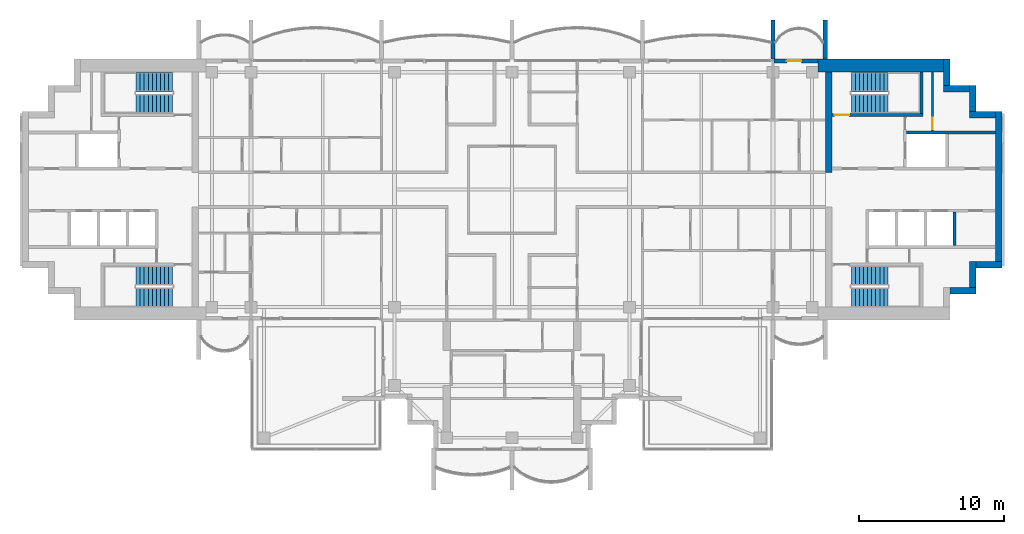
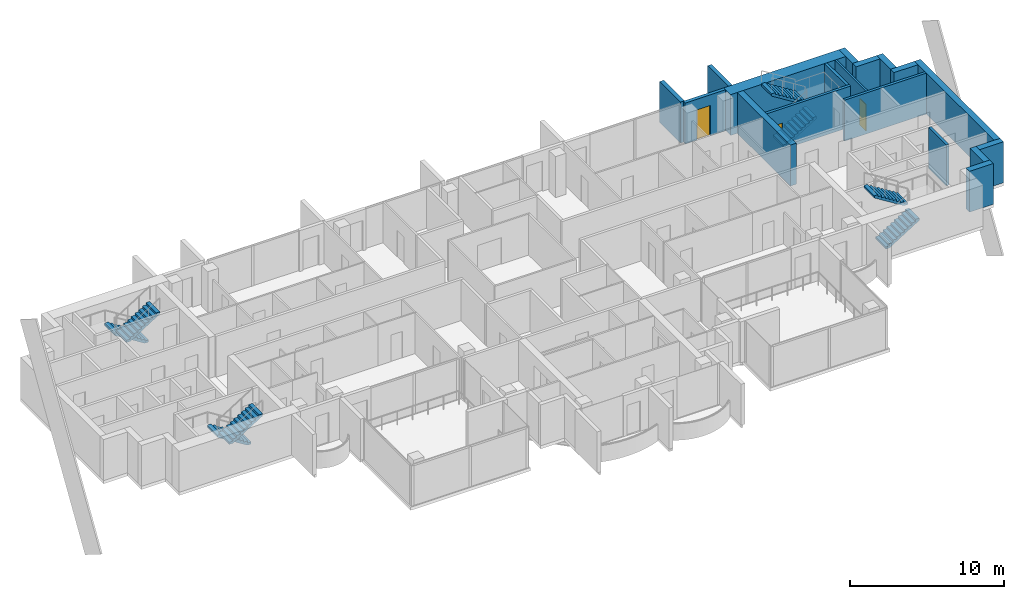
# One storey, part 12 of 16: 18 walls, 8 stair flights, 3 doors, 3 openings, 4 elements without a shape of their own.
"""IFC4 building model written with IfcOpenShell, lengths in metres."""

import ifcopenshell
import ifcopenshell.guid

model = None  # the IFC model being written
_history = None  # IfcOwnerHistory: only IFC2X3 demands one
_inside = {}  # id of a spatial element -> (the spatial element, [elements in it])
_under = {}  # id of a project, library or spatial element -> (it, [spatial elements below it])
_declared = {}  # id of a project -> (the project, [libraries it declares])
_typed = {}  # id of a type object -> (the type object, [elements of that type])
_made_of = {}  # id of a material, layer set ... -> (it, [elements and type objects made of it])


def new_model(schema):
    """Start an empty IFC model of exactly this schema.

    Asked for "IFC4X3", IfcOpenShell would pick the latest addendum, in which some entities
    have other attributes; the version numbers below select the first issue.
    IFC2X3 requires an IfcOwnerHistory on every rooted entity: one is made here for all.
    """
    global model, _history
    if schema == "IFC4X3":
        model = ifcopenshell.file(schema_version=(4, 3, 0, 0))
    else:
        model = ifcopenshell.file(schema=schema)
    _inside.clear()
    _under.clear()
    _declared.clear()
    _typed.clear()
    _made_of.clear()
    _history = None
    if model.schema == "IFC2X3":
        org = make("IfcOrganization", Name="unknown")
        user = make(
            "IfcPersonAndOrganization",
            ThePerson=make("IfcPerson", FamilyName="unknown"),
            TheOrganization=org,
        )
        app = make(
            "IfcApplication",
            ApplicationDeveloper=org,
            Version="unknown",
            ApplicationFullName="unknown",
            ApplicationIdentifier="unknown",
        )
        _history = make(
            "IfcOwnerHistory",
            OwningUser=user,
            OwningApplication=app,
            ChangeAction="ADDED",
            CreationDate=0,
        )
    return model


def make(cls, **values):
    """One entity of the class cls with the attributes given. An attribute that is None is left unset."""
    return model.create_entity(
        cls, **{name: value for name, value in values.items() if value is not None}
    )


def rooted(cls, **values):
    """An entity with a GlobalId (a new one), such as an element, a storey or a relation."""
    return make(cls, GlobalId=ifcopenshell.guid.new(), OwnerHistory=_history, **values)


def si_unit(unit_type, name, prefix=None):
    """IfcSIUnit, for example si_unit("LENGTHUNIT", "METRE", prefix="MILLI")."""
    return make("IfcSIUnit", UnitType=unit_type, Prefix=prefix, Name=name)


def assignment(units):
    """IfcUnitAssignment: the units of a project."""
    return None if units is None else make("IfcUnitAssignment", Units=units)


def point(xyz):
    """IfcCartesianPoint."""
    return None if xyz is None else make("IfcCartesianPoint", Coordinates=xyz)


def direction(xyz):
    """IfcDirection."""
    return None if xyz is None else make("IfcDirection", DirectionRatios=xyz)


def frame(location, z_axis=None, x_axis=None):
    """IfcAxis2Placement3D, a coordinate frame: its origin and axes. An axis left out is left unset."""
    return make(
        "IfcAxis2Placement3D",
        Location=point(location),
        Axis=direction(z_axis),
        RefDirection=direction(x_axis),
    )


def frame_2d(location, x_axis=None):
    """IfcAxis2Placement2D, a coordinate frame in the plane: its origin and x axis."""
    return make(
        "IfcAxis2Placement2D", Location=point(location), RefDirection=direction(x_axis)
    )


def origin():
    """The frame at (0, 0, 0) with its axes left unset."""
    return frame((0.0, 0.0, 0.0))


def place(relative_to, where):
    """IfcLocalPlacement: puts the frame where relative to a parent placement (None: the world)."""
    return make(
        "IfcLocalPlacement", PlacementRelTo=relative_to, RelativePlacement=where
    )


def context(
    kind, dimensions, precision=None, world=None, true_north=None, identifier=None
):
    """IfcGeometricRepresentationContext, for example the 3D "Model" context."""
    return make(
        "IfcGeometricRepresentationContext",
        ContextIdentifier=identifier,
        ContextType=kind,
        CoordinateSpaceDimension=dimensions,
        Precision=precision,
        WorldCoordinateSystem=world,
        TrueNorth=true_north,
    )


def subcontext(parent, identifier, kind, view, scale=None):
    """IfcGeometricRepresentationSubContext, for example "Body" below "Model"."""
    return make(
        "IfcGeometricRepresentationSubContext",
        ContextIdentifier=identifier,
        ContextType=kind,
        ParentContext=parent,
        TargetScale=scale,
        TargetView=view,
    )


def project(units=None, contexts=None):
    """IfcProject with its units and contexts."""
    return rooted(
        "IfcProject",
        Name="project",
        RepresentationContexts=contexts,
        UnitsInContext=assignment(units),
    )


def spatial(cls, under=None, at=None, **own):
    """A site, building, storey or space (cls), placed at a placement, below another one or the project."""
    s = rooted(cls, ObjectPlacement=at, **own)
    if under is not None:
        _under.setdefault(under.id(), (under, []))[1].append(s)
    return s


def polyline(points):
    """IfcPolyline through the points."""
    return make("IfcPolyline", Points=[point(p) for p in points])


def profile(cls, at=None, kind="AREA", **sizes):
    """A parametric profile (cls). Its sizes go by their IFC names, for example OverallWidth=200.0."""
    return make(cls, ProfileType=kind, Position=at, **sizes)


def rectangle(**sizes):
    """IfcRectangleProfileDef."""
    return profile("IfcRectangleProfileDef", **sizes)


def outline(outer, holes=None, kind="AREA"):
    """IfcArbitraryClosedProfileDef: a profile drawn as a closed curve; with holes, ...WithVoids."""
    if holes is None:
        return make("IfcArbitraryClosedProfileDef", ProfileType=kind, OuterCurve=outer)
    return make(
        "IfcArbitraryProfileDefWithVoids",
        ProfileType=kind,
        OuterCurve=outer,
        InnerCurves=holes,
    )


def extrude(swept, where, along, depth):
    """IfcExtrudedAreaSolid: the profile swept, set in the frame where, extruded along a direction by depth."""
    return make(
        "IfcExtrudedAreaSolid",
        SweptArea=swept,
        Position=where,
        ExtrudedDirection=direction(along),
        Depth=depth,
    )


def shape(context_of_items, identifier, shape_type, items):
    """IfcShapeRepresentation: the items that make up one representation, for example the "Body"."""
    return make(
        "IfcShapeRepresentation",
        ContextOfItems=context_of_items,
        RepresentationIdentifier=identifier,
        RepresentationType=shape_type,
        Items=items,
    )


def material(Name=None, Category=None):
    """IfcMaterial."""
    return make("IfcMaterial", Name=Name, Category=Category)


def layer(
    of_material, thickness, ventilated=None, Name=None, Category=None, Priority=None
):
    """IfcMaterialLayer: one layer of a wall or slab, of a material (None: an air gap)."""
    return make(
        "IfcMaterialLayer",
        Material=of_material,
        LayerThickness=thickness,
        IsVentilated=ventilated,
        Name=Name,
        Category=Category,
        Priority=Priority,
    )


def layer_set(layers, Name=None):
    """IfcMaterialLayerSet."""
    return make("IfcMaterialLayerSet", MaterialLayers=layers, LayerSetName=Name)


def made_of(thing, what):
    """Note that an element or type object is made of a material, layer set ...; save() writes the relation."""
    if what is not None:
        _made_of.setdefault(what.id(), (what, []))[1].append(thing)
    return thing


def type_object(cls, material=None, **own):
    """A type object (cls), such as IfcWallType, which elements share."""
    return made_of(rooted(cls, **own), material)


def element(
    cls,
    number,
    at=None,
    inside=None,
    cuts=None,
    type_object=None,
    material=None,
    context=None,
    identifier="Body",
    shape_type=None,
    held_by="IfcProductDefinitionShape",
    body=None,
    shapes=None,
    **own,
):
    """One element of the class cls, such as IfcWall. Its Tag is "e" and its number.

    at: its placement. inside: the storey or other place that contains it. cuts: it is an
    opening in that element (IfcRelVoidsElement). A single representation is given by context,
    identifier, shape_type and body (its items); several are given by shapes. held_by: the class
    of the entity that holds the representations. save() writes the other relations.
    """
    e = rooted(cls, Tag="e%d" % number, ObjectPlacement=at, **own)
    if body is not None:
        shapes = [shape(context, identifier, shape_type, body)]
    if shapes is not None:
        e.Representation = make(held_by, Representations=shapes)
    if inside is not None:
        _inside.setdefault(inside.id(), (inside, []))[1].append(e)
    if cuts is not None:
        rooted(
            "IfcRelVoidsElement", RelatingBuildingElement=cuts, RelatedOpeningElement=e
        )
    if type_object is not None:
        _typed.setdefault(type_object.id(), (type_object, []))[1].append(e)
    return made_of(e, material)


def fill(opening, filler):
    """IfcRelFillsElement: the door or window that sits in an opening."""
    return rooted(
        "IfcRelFillsElement",
        RelatingOpeningElement=opening,
        RelatedBuildingElement=filler,
    )


def aggregate(whole, parts):
    """IfcRelAggregates: a whole, such as a stair, and the parts it consists of."""
    return rooted("IfcRelAggregates", RelatingObject=whole, RelatedObjects=parts)


def save(model, path):
    """Write the relations noted so far, then the file.

    IfcRelAggregates (storeys below a building ...), IfcRelContainedInSpatialStructure (elements
    in a storey), IfcRelDefinesByType, IfcRelAssociatesMaterial and IfcRelDeclares: one each for
    every whole, place, type object, material and project.
    """
    for whole, parts in _under.values():
        aggregate(whole, parts)
    for where, things in _inside.values():
        rooted(
            "IfcRelContainedInSpatialStructure",
            RelatedElements=things,
            RelatingStructure=where,
        )
    for kind, things in _typed.values():
        rooted("IfcRelDefinesByType", RelatedObjects=things, RelatingType=kind)
    for what, things in _made_of.values():
        rooted("IfcRelAssociatesMaterial", RelatedObjects=things, RelatingMaterial=what)
    for by, libraries in _declared.values():
        rooted("IfcRelDeclares", RelatingContext=by, RelatedDefinitions=libraries)
    model.write(path)


model = new_model("IFC4")

# Units and contexts
model_context = context("Model", 3, precision=1e-05, world=origin(), true_north=direction((0.0, 1.0)))
body_context = subcontext(model_context, "Body", "Model", "MODEL_VIEW")
ifc_project = project(units=[si_unit("LENGTHUNIT", "METRE"), si_unit("AREAUNIT", "SQUARE_METRE"), si_unit("VOLUMEUNIT", "CUBIC_METRE"), si_unit("PLANEANGLEUNIT", "RADIAN"), si_unit("MASSUNIT", "GRAM", prefix="KILO")], contexts=[model_context])

# Site, building, storey
site_placement = place(None, origin())
site = spatial("IfcSite", under=ifc_project, at=site_placement, CompositionType="ELEMENT")
building_placement = place(site_placement, origin())
building = spatial("IfcBuilding", under=site, at=building_placement, Name="Perihelion Cross Residences", CompositionType="ELEMENT")
storey_placement = place(building_placement, frame((0.0, 0.0, 264.0)))
storey = spatial("IfcBuildingStorey", under=building, at=storey_placement, Name="L67", CompositionType="ELEMENT", Elevation=264.0)

# Wall, opening, door
ifc_material_1 = material(Name="Concrete C30/37, bronze-clad", Category="concrete")
ifc_layer_1 = layer(ifc_material_1, 0.25)
ifc_layer_set_1 = layer_set([ifc_layer_1], Name="Bronze-clad pier wall 250")
wall_type_1 = type_object("IfcWallType", Name="Bronze-clad pier wall 250", PredefinedType="SOLIDWALL", material=ifc_layer_set_1)
wall_1_placement = place(storey_placement, frame((21.10009765625, 8.875, 0.0), z_axis=(0.0, 0.0, 1.0), x_axis=(-1.0, 0.0, 0.0)))
wall_1 = element("IfcWall", 1, at=wall_1_placement, inside=storey, type_object=wall_type_1, Name="Wall FW1 L67 east side north bay 1 pier", PredefinedType="SOLIDWALL", context=body_context, shape_type="SweptSolid", body=[
    extrude(rectangle(XDim=3.0400390625, YDim=0.25, at=frame_2d((1.52001953125, 0.0))), origin(), (0.0, 0.0, 1.0), 3.25),
])
opening_1_placement = place(wall_1_placement, frame((1.14990234375, 0.0, 0.0)))
opening_1 = element("IfcOpeningElement", 2, at=opening_1_placement, cuts=wall_1, Name="Opening L67.E01", PredefinedType="OPENING", context=body_context, shape_type="SweptSolid", body=[
    extrude(rectangle(XDim=1.0, YDim=2.39990234375, at=frame_2d((0.5, 1.199951171875))), frame((0.0, 0.135009765625, 0.0), z_axis=(0.0, -1.0, 0.0), x_axis=(1.0, 0.0, 0.0)), (0.0, 0.0, 1.0), 0.27001953125),
])
ifc_material_2 = material(Name="Bronze anodised aluminium, glazed", Category="aluminium")
door_type_1 = type_object("IfcDoorType", Name="Balcony door 1000 x 2400", OperationType="NOTDEFINED", PredefinedType="DOOR", material=ifc_material_2)
door_1_placement = place(opening_1_placement, origin())
door_1 = element("IfcDoor", 3, at=door_1_placement, inside=storey, type_object=door_type_1, Name="Door L67.E01 east side north bay 1", OperationType="SINGLE_SWING_LEFT", OverallHeight=2.39990234375, OverallWidth=1.0, PredefinedType="DOOR", context=body_context, shape_type="SweptSolid", body=[
    extrude(rectangle(XDim=1.0, YDim=2.39990234375, at=frame_2d((0.5, 1.199951171875))), frame((0.0, 0.02490234375, 0.0), z_axis=(0.0, -1.0, 0.0), x_axis=(1.0, 0.0, 0.0)), (0.0, 0.0, 1.0), 0.050048828125),
])
fill(opening_1, door_1)

# Walls
ifc_material_3 = material(Name="Concrete C60/75", Category="concrete")
ifc_layer_2 = layer(ifc_material_3, 0.449951171875)
ifc_layer_set_2 = layer_set([ifc_layer_2], Name="Core wall, inner 450")
wall_type_2 = type_object("IfcWallType", Name="Core wall, inner 450", PredefinedType="SHEAR", material=ifc_layer_set_2)
wall_2_placement = place(storey_placement, frame((21.824951171875, 1.199951171875, 0.0), z_axis=(0.0, 0.0, 1.0), x_axis=(0.0, 1.0, 0.0)))
element("IfcWall", 4, at=wall_2_placement, inside=storey, type_object=wall_type_2, Name="East core core wall, inner", PredefinedType="SHEAR", context=body_context, shape_type="SweptSolid", body=[
    extrude(rectangle(XDim=6.900146484375, YDim=0.449951171875, at=frame_2d((3.4501953125, 0.0))), origin(), (0.0, 0.0, 1.0), 3.25),
])
ifc_material_4 = material(Name="Concrete C60/75", Category="concrete")
ifc_layer_3 = layer(ifc_material_4, 0.449951171875)
ifc_layer_set_3 = layer_set([ifc_layer_3], Name="Core wall, outer 450")
wall_type_3 = type_object("IfcWallType", Name="Core wall, outer 450", PredefinedType="SHEAR", material=ifc_layer_set_3)
for number, where, z_axis, x_axis, name in (
    (5, (30.199951171875, -6.97509765625, 0.0), (0.0, 0.0, 1.0), (1.0, 0.0, 0.0), "East core core wall, outer"),
    (6, (31.77490234375, -6.75, 0.0), (0.0, 0.0, 1.0), (0.0, 1.0, 0.0), "East core core wall, outer"),
    (7, (32.0, -5.175048828125, 0.0), (0.0, 0.0, 1.0), (1.0, 0.0, 0.0), "East core core wall, outer"),
):
    element("IfcWall", number, at=place(storey_placement, frame(where, z_axis=z_axis, x_axis=x_axis)), inside=storey, type_object=wall_type_3, Name=name, PredefinedType="SHEAR", context=body_context, shape_type="SweptSolid", body=[
        extrude(rectangle(XDim=1.800048828125, YDim=0.449951171875, at=frame_2d((0.89990234375, 0.0))), origin(), (0.0, 0.0, 1.0), 3.25),
    ])
wall_3_placement = place(storey_placement, frame((33.574951171875, -4.949951171875, 0.0), z_axis=(0.0, 0.0, 1.0), x_axis=(0.0, 1.0, 0.0)))
element("IfcWall", 8, at=wall_3_placement, inside=storey, type_object=wall_type_3, Name="East core core wall, outer", PredefinedType="SHEAR", context=body_context, shape_type="SweptSolid", body=[
    extrude(rectangle(XDim=10.349853515625, YDim=0.449951171875, at=frame_2d((5.1748046875, 0.0))), origin(), (0.0, 0.0, 1.0), 3.25),
])
for number, where, z_axis, x_axis, name in (
    (9, (31.550048828125, 5.175048828125, 0.0), (0.0, 0.0, 1.0), (1.0, 0.0, 0.0), "East core core wall, outer"),
    (10, (31.77490234375, 5.39990234375, 0.0), (0.0, 0.0, 1.0), (0.0, 1.0, 0.0), "East core core wall, outer"),
    (11, (29.75, 6.97509765625, 0.0), (0.0, 0.0, 1.0), (1.0, 0.0, 0.0), "East core core wall, outer"),
    (12, (29.97509765625, 7.199951171875, 0.0), (0.0, 0.0, 1.0), (0.0, 1.0, 0.0), "East core core wall, outer"),
):
    element("IfcWall", number, at=place(storey_placement, frame(where, z_axis=z_axis, x_axis=x_axis)), inside=storey, type_object=wall_type_3, Name=name, PredefinedType="SHEAR", context=body_context, shape_type="SweptSolid", body=[
        extrude(rectangle(XDim=1.800048828125, YDim=0.449951171875, at=frame_2d((0.89990234375, 0.0))), origin(), (0.0, 0.0, 1.0), 3.25),
    ])
ifc_material_5 = material(Name="Concrete C60/75", Category="concrete")
ifc_layer_4 = layer(ifc_material_5, 0.89990234375)
ifc_layer_set_4 = layer_set([ifc_layer_4], Name="Core wall, outer 900")
wall_type_4 = type_object("IfcWallType", Name="Core wall, outer 900", PredefinedType="SHEAR", material=ifc_layer_set_4)
wall_4_placement = place(storey_placement, frame((21.10009765625, 8.550048828125, 0.0), z_axis=(0.0, 0.0, 1.0), x_axis=(1.0, 0.0, 0.0)))
element("IfcWall", 13, at=wall_4_placement, inside=storey, type_object=wall_type_4, Name="East core core wall, outer", PredefinedType="SHEAR", context=body_context, shape_type="SweptSolid", body=[
    extrude(rectangle(XDim=8.64990234375, YDim=0.89990234375, at=frame_2d((4.324951171875, 0.0))), origin(), (0.0, 0.0, 1.0), 3.25),
])
ifc_material_6 = material(Name="Precast concrete C50/60", Category="concrete")
ifc_layer_5 = layer(ifc_material_6, 0.300048828125)
ifc_layer_set_5 = layer_set([ifc_layer_5], Name="Precast concrete C50/60 blade wall 300")
wall_type_5 = type_object("IfcWallType", Name="Precast concrete C50/60 blade wall 300", PredefinedType="SOLIDWALL", material=ifc_layer_set_5)
for number, where, z_axis, x_axis, name in (
    (14, (18.0, 9.0, 0.0), (0.0, 0.0, 1.0), (0.0, 1.0, 0.0), "Wall BL1 L67 no. 11"),
    (15, (21.60009765625, 9.0, 0.0), (0.0, 0.0, 1.0), (0.0, 1.0, 0.0), "Wall BL1 L67 no. 13"),
):
    element("IfcWall", number, at=place(storey_placement, frame(where, z_axis=z_axis, x_axis=x_axis)), inside=storey, type_object=wall_type_5, Name=name, PredefinedType="SOLIDWALL", context=body_context, shape_type="SweptSolid", body=[
        extrude(rectangle(XDim=2.699951171875, YDim=0.300048828125, at=frame_2d((1.35009765625, 0.0))), origin(), (0.0, 0.0, 1.0), 3.25),
    ])

# Wall, opening, door
ifc_material_7 = material(Name="Fire-rated board on steel stud", Category="steel")
ifc_layer_6 = layer(ifc_material_7, 0.14990234375)
ifc_layer_set_6 = layer_set([ifc_layer_6], Name="Riser wall 150")
wall_type_6 = type_object("IfcWallType", Name="Riser wall 150", PredefinedType="PARTITIONING", material=ifc_layer_set_6)
wall_5_placement = place(storey_placement, frame((29.0, 4.050048828125, 0.0), z_axis=(0.0, 0.0, 1.0), x_axis=(0.0, 1.0, 0.0)))
wall_5 = element("IfcWall", 16, at=wall_5_placement, inside=storey, type_object=wall_type_6, Name="East core riser wall", PredefinedType="PARTITIONING", context=body_context, shape_type="SweptSolid", body=[
    extrude(rectangle(XDim=4.050048828125, YDim=0.14990234375, at=frame_2d((2.02490234375, 0.0))), origin(), (0.0, 0.0, 1.0), 3.25),
])
opening_2_placement = place(wall_5_placement, frame((0.10009765625, 0.0, 0.0)))
opening_2 = element("IfcOpeningElement", 17, at=opening_2_placement, cuts=wall_5, Name="Opening L67.C12", PredefinedType="OPENING", context=body_context, shape_type="SweptSolid", body=[
    extrude(rectangle(XDim=0.800048828125, YDim=2.10009765625, at=frame_2d((0.39990234375, 1.050048828125))), frame((0.0, 0.0849609375, 0.0), z_axis=(0.0, -1.0, 0.0), x_axis=(1.0, 0.0, 0.0)), (0.0, 0.0, 1.0), 0.169921875),
])
ifc_material_8 = material(Name="Steel, powder coated", Category="steel")
door_type_2 = type_object("IfcDoorType", Name="Riser door 800", OperationType="SINGLE_SWING_LEFT", PredefinedType="DOOR", material=ifc_material_8)
door_2_placement = place(opening_2_placement, origin())
door_2 = element("IfcDoor", 18, at=door_2_placement, inside=storey, type_object=door_type_2, Name="East core riser door", OperationType="SINGLE_SWING_LEFT", OverallHeight=2.10009765625, OverallWidth=0.800048828125, PredefinedType="DOOR", context=body_context, shape_type="SweptSolid", body=[
    extrude(rectangle(XDim=0.800048828125, YDim=2.10009765625, at=frame_2d((0.39990234375, 1.050048828125))), frame((0.0, 0.02490234375, 0.0), z_axis=(0.0, -1.0, 0.0), x_axis=(1.0, 0.0, 0.0)), (0.0, 0.0, 1.0), 0.050048828125),
])
fill(opening_2, door_2)

# Walls
ifc_material_9 = material(Name="Concrete C50/60", Category="concrete")
ifc_layer_7 = layer(ifc_material_9, 0.199951171875)
ifc_layer_set_7 = layer_set([ifc_layer_7], Name="Shaft wall 200")
wall_type_7 = type_object("IfcWallType", Name="Shaft wall 200", PredefinedType="SOLIDWALL", material=ifc_layer_set_7)
wall_6_placement = place(storey_placement, frame((27.199951171875, 3.949951171875, 0.0), z_axis=(0.0, 0.0, 1.0), x_axis=(1.0, 0.0, 0.0)))
element("IfcWall", 19, at=wall_6_placement, inside=storey, type_object=wall_type_7, Name="East core shaft wall", PredefinedType="SOLIDWALL", context=body_context, shape_type="SweptSolid", body=[
    extrude(rectangle(XDim=6.150146484375, YDim=0.199951171875, at=frame_2d((3.0751953125, 0.0))), origin(), (0.0, 0.0, 1.0), 3.25),
])
wall_7_placement = place(storey_placement, frame((30.5, -3.85009765625, 0.0), z_axis=(0.0, 0.0, 1.0), x_axis=(0.0, 1.0, 0.0)))
element("IfcWall", 20, at=wall_7_placement, inside=storey, type_object=wall_type_7, Name="East core shaft wall", PredefinedType="SOLIDWALL", context=body_context, shape_type="SweptSolid", body=[
    extrude(rectangle(XDim=2.300048828125, YDim=0.199951171875, at=frame_2d((1.14990234375, 0.0))), origin(), (0.0, 0.0, 1.0), 3.25),
])

# Wall, opening, door
ifc_material_10 = material(Name="Concrete C50/60", Category="concrete")
ifc_layer_8 = layer(ifc_material_10, 0.199951171875)
ifc_layer_set_8 = layer_set([ifc_layer_8], Name="Stair wall 200")
wall_type_8 = type_object("IfcWallType", Name="Stair wall 200", PredefinedType="SOLIDWALL", material=ifc_layer_set_8)
wall_8_placement = place(storey_placement, frame((22.050048828125, 5.14990234375, 0.0), z_axis=(0.0, 0.0, 1.0), x_axis=(1.0, 0.0, 0.0)))
wall_8 = element("IfcWall", 21, at=wall_8_placement, inside=storey, type_object=wall_type_8, Name="East core stair wall", PredefinedType="SOLIDWALL", context=body_context, shape_type="SweptSolid", body=[
    extrude(rectangle(XDim=6.300048828125, YDim=0.199951171875, at=frame_2d((3.14990234375, 0.0))), origin(), (0.0, 0.0, 1.0), 3.25),
])
opening_3_placement = place(wall_8_placement, frame((0.199951171875, 0.0, 0.0)))
opening_3 = element("IfcOpeningElement", 22, at=opening_3_placement, cuts=wall_8, Name="Opening L67.C06", PredefinedType="OPENING", context=body_context, shape_type="SweptSolid", body=[
    extrude(rectangle(XDim=1.0, YDim=2.10009765625, at=frame_2d((0.5, 1.050048828125))), frame((0.0, 0.10986328125, 0.0), z_axis=(0.0, -1.0, 0.0), x_axis=(1.0, 0.0, 0.0)), (0.0, 0.0, 1.0), 0.219970703125),
])
ifc_material_11 = material(Name="Steel, powder coated", Category="steel")
door_type_3 = type_object("IfcDoorType", Name="Stair door 1000", OperationType="SINGLE_SWING_LEFT", PredefinedType="DOOR", material=ifc_material_11)
door_3_placement = place(opening_3_placement, origin())
door_3 = element("IfcDoor", 23, at=door_3_placement, inside=storey, type_object=door_type_3, Name="East core stair door", OperationType="SINGLE_SWING_LEFT", OverallHeight=2.10009765625, OverallWidth=1.0, PredefinedType="DOOR", context=body_context, shape_type="SweptSolid", body=[
    extrude(rectangle(XDim=1.0, YDim=2.10009765625, at=frame_2d((0.5, 1.050048828125))), frame((0.0, 0.02490234375, 0.0), z_axis=(0.0, -1.0, 0.0), x_axis=(1.0, 0.0, 0.0)), (0.0, 0.0, 1.0), 0.050048828125),
])
fill(opening_3, door_3)

# Wall
wall_9_placement = place(storey_placement, frame((28.25, 5.25, 0.0), z_axis=(0.0, 0.0, 1.0), x_axis=(0.0, 1.0, 0.0)))
element("IfcWall", 24, at=wall_9_placement, inside=storey, type_object=wall_type_8, Name="East core stair wall", PredefinedType="SOLIDWALL", context=body_context, shape_type="SweptSolid", body=[
    extrude(rectangle(XDim=2.85009765625, YDim=0.199951171875, at=frame_2d((1.425048828125, 0.0))), origin(), (0.0, 0.0, 1.0), 3.25),
])

# Stair, stair flights
ifc_material_12 = material(Name="Concrete C40/50", Category="concrete")
stair_type = type_object("IfcStairType", Name="Exit stair, half-turn", PredefinedType="HALF_TURN_STAIR", material=ifc_material_12)
stair_1_placement = place(storey_placement, origin())
stair_1 = element("IfcStair", 25, at=stair_1_placement, inside=storey, type_object=stair_type, Name="L67 East core exit stair 1", PredefinedType="HALF_TURN_STAIR")
ifc_material_13 = material(Name="Concrete C40/50", Category="concrete")
stair_flight_type = type_object("IfcStairFlightType", Name="Exit stair flight", PredefinedType="STRAIGHT", material=ifc_material_13)
stair_flight_1_placement = place(storey_placement, frame((23.39990234375, 5.925048828125, 0.0), z_axis=(0.0, 0.0, 1.0), x_axis=(1.0, 0.0, 0.0)))
stair_flight_1 = element("IfcStairFlight", 26, at=stair_flight_1_placement, type_object=stair_flight_type, Name="ST-E1 flight 1", NumberOfRisers=10, NumberOfTreads=9, PredefinedType="STRAIGHT", RiserHeight=0.175, TreadLength=0.28, context=body_context, shape_type="SweptSolid", body=[
    extrude(outline(polyline([(0.0, 0.0), (0.0, 0.175048828125), (0.280029296875, 0.175048828125), (0.280029296875, 0.35009765625), (0.56005859375, 0.35009765625), (0.56005859375, 0.52490234375), (0.840087890625, 0.52490234375), (0.840087890625, 0.699951171875), (1.1201171875, 0.699951171875), (1.1201171875, 0.875), (1.39990234375, 0.875), (1.39990234375, 1.050048828125), (1.679931640625, 1.050048828125), (1.679931640625, 1.22509765625), (1.9599609375, 1.22509765625), (1.9599609375, 1.39990234375), (2.239990234375, 1.39990234375), (2.239990234375, 1.574951171875), (2.52001953125, 1.574951171875), (2.52001953125, 1.75), (2.52001953125, 1.398193359375), (0.28271484375, 0.0), (0.0, 0.0)])), frame((0.0, 0.675048828125, 0.0), z_axis=(0.0, -1.0, 0.0), x_axis=(1.0, 0.0, 0.0)), (0.0, 0.0, 1.0), 1.35009765625),
])
stair_flight_2_placement = place(storey_placement, frame((25.919921875, 7.425048828125, 1.75), z_axis=(0.0, 0.0, 1.0), x_axis=(-1.0, 0.0, 0.0)))
stair_flight_2 = element("IfcStairFlight", 27, at=stair_flight_2_placement, type_object=stair_flight_type, Name="ST-E1 flight 2", NumberOfRisers=10, NumberOfTreads=9, PredefinedType="STRAIGHT", RiserHeight=0.175, TreadLength=0.28, context=body_context, shape_type="SweptSolid", body=[
    extrude(outline(polyline([(0.0, 0.0), (0.0, 0.175048828125), (0.280029296875, 0.175048828125), (0.280029296875, 0.35009765625), (0.56005859375, 0.35009765625), (0.56005859375, 0.52490234375), (0.840087890625, 0.52490234375), (0.840087890625, 0.699951171875), (1.1201171875, 0.699951171875), (1.1201171875, 0.875), (1.39990234375, 0.875), (1.39990234375, 1.050048828125), (1.679931640625, 1.050048828125), (1.679931640625, 1.22509765625), (1.9599609375, 1.22509765625), (1.9599609375, 1.39990234375), (2.239990234375, 1.39990234375), (2.239990234375, 1.574951171875), (2.52001953125, 1.574951171875), (2.52001953125, 1.75), (2.52001953125, 1.398193359375), (0.28271484375, 0.0), (0.0, 0.0)])), frame((0.0, 0.675048828125, 0.0), z_axis=(0.0, -1.0, 0.0), x_axis=(1.0, 0.0, 0.0)), (0.0, 0.0, 1.0), 1.35009765625),
])
aggregate(stair_1, [stair_flight_1, stair_flight_2])

stair_2_placement = place(storey_placement, origin())
stair_2 = element("IfcStair", 28, at=stair_2_placement, inside=storey, type_object=stair_type, Name="L67 East core exit stair 2", PredefinedType="HALF_TURN_STAIR")
stair_flight_3_placement = place(storey_placement, frame((23.39990234375, -7.425048828125, 0.0), z_axis=(0.0, 0.0, 1.0), x_axis=(1.0, 0.0, 0.0)))
stair_flight_3 = element("IfcStairFlight", 29, at=stair_flight_3_placement, type_object=stair_flight_type, Name="ST-E2 flight 1", NumberOfRisers=10, NumberOfTreads=9, PredefinedType="STRAIGHT", RiserHeight=0.175, TreadLength=0.28, context=body_context, shape_type="SweptSolid", body=[
    extrude(outline(polyline([(0.0, 0.0), (0.0, 0.175048828125), (0.280029296875, 0.175048828125), (0.280029296875, 0.35009765625), (0.56005859375, 0.35009765625), (0.56005859375, 0.52490234375), (0.840087890625, 0.52490234375), (0.840087890625, 0.699951171875), (1.1201171875, 0.699951171875), (1.1201171875, 0.875), (1.39990234375, 0.875), (1.39990234375, 1.050048828125), (1.679931640625, 1.050048828125), (1.679931640625, 1.22509765625), (1.9599609375, 1.22509765625), (1.9599609375, 1.39990234375), (2.239990234375, 1.39990234375), (2.239990234375, 1.574951171875), (2.52001953125, 1.574951171875), (2.52001953125, 1.75), (2.52001953125, 1.398193359375), (0.28271484375, 0.0), (0.0, 0.0)])), frame((0.0, 0.675048828125, 0.0), z_axis=(0.0, -1.0, 0.0), x_axis=(1.0, 0.0, 0.0)), (0.0, 0.0, 1.0), 1.35009765625),
])
stair_flight_4_placement = place(storey_placement, frame((25.919921875, -5.925048828125, 1.75), z_axis=(0.0, 0.0, 1.0), x_axis=(-1.0, 0.0, 0.0)))
stair_flight_4 = element("IfcStairFlight", 30, at=stair_flight_4_placement, type_object=stair_flight_type, Name="ST-E2 flight 2", NumberOfRisers=10, NumberOfTreads=9, PredefinedType="STRAIGHT", RiserHeight=0.175, TreadLength=0.28, context=body_context, shape_type="SweptSolid", body=[
    extrude(outline(polyline([(0.0, 0.0), (0.0, 0.175048828125), (0.280029296875, 0.175048828125), (0.280029296875, 0.35009765625), (0.56005859375, 0.35009765625), (0.56005859375, 0.52490234375), (0.840087890625, 0.52490234375), (0.840087890625, 0.699951171875), (1.1201171875, 0.699951171875), (1.1201171875, 0.875), (1.39990234375, 0.875), (1.39990234375, 1.050048828125), (1.679931640625, 1.050048828125), (1.679931640625, 1.22509765625), (1.9599609375, 1.22509765625), (1.9599609375, 1.39990234375), (2.239990234375, 1.39990234375), (2.239990234375, 1.574951171875), (2.52001953125, 1.574951171875), (2.52001953125, 1.75), (2.52001953125, 1.398193359375), (0.28271484375, 0.0), (0.0, 0.0)])), frame((0.0, 0.675048828125, 0.0), z_axis=(0.0, -1.0, 0.0), x_axis=(1.0, 0.0, 0.0)), (0.0, 0.0, 1.0), 1.35009765625),
])
aggregate(stair_2, [stair_flight_3, stair_flight_4])

stair_3_placement = place(storey_placement, origin())
stair_3 = element("IfcStair", 31, at=stair_3_placement, inside=storey, type_object=stair_type, Name="L67 West core exit stair 1", PredefinedType="HALF_TURN_STAIR")
stair_flight_5_placement = place(storey_placement, frame((-23.39990234375, 7.425048828125, 0.0), z_axis=(0.0, 0.0, 1.0), x_axis=(-1.0, 0.0, 0.0)))
stair_flight_5 = element("IfcStairFlight", 32, at=stair_flight_5_placement, type_object=stair_flight_type, Name="ST-W1 flight 1", NumberOfRisers=10, NumberOfTreads=9, PredefinedType="STRAIGHT", RiserHeight=0.175, TreadLength=0.28, context=body_context, shape_type="SweptSolid", body=[
    extrude(outline(polyline([(0.0, 0.0), (0.0, 0.175048828125), (0.280029296875, 0.175048828125), (0.280029296875, 0.35009765625), (0.56005859375, 0.35009765625), (0.56005859375, 0.52490234375), (0.840087890625, 0.52490234375), (0.840087890625, 0.699951171875), (1.1201171875, 0.699951171875), (1.1201171875, 0.875), (1.39990234375, 0.875), (1.39990234375, 1.050048828125), (1.679931640625, 1.050048828125), (1.679931640625, 1.22509765625), (1.9599609375, 1.22509765625), (1.9599609375, 1.39990234375), (2.239990234375, 1.39990234375), (2.239990234375, 1.574951171875), (2.52001953125, 1.574951171875), (2.52001953125, 1.75), (2.52001953125, 1.398193359375), (0.28271484375, 0.0), (0.0, 0.0)])), frame((0.0, 0.675048828125, 0.0), z_axis=(0.0, -1.0, 0.0), x_axis=(1.0, 0.0, 0.0)), (0.0, 0.0, 1.0), 1.35009765625),
])
stair_flight_6_placement = place(storey_placement, frame((-25.919921875, 5.925048828125, 1.75), z_axis=(0.0, 0.0, 1.0), x_axis=(1.0, 0.0, 0.0)))
stair_flight_6 = element("IfcStairFlight", 33, at=stair_flight_6_placement, type_object=stair_flight_type, Name="ST-W1 flight 2", NumberOfRisers=10, NumberOfTreads=9, PredefinedType="STRAIGHT", RiserHeight=0.175, TreadLength=0.28, context=body_context, shape_type="SweptSolid", body=[
    extrude(outline(polyline([(0.0, 0.0), (0.0, 0.175048828125), (0.280029296875, 0.175048828125), (0.280029296875, 0.35009765625), (0.56005859375, 0.35009765625), (0.56005859375, 0.52490234375), (0.840087890625, 0.52490234375), (0.840087890625, 0.699951171875), (1.1201171875, 0.699951171875), (1.1201171875, 0.875), (1.39990234375, 0.875), (1.39990234375, 1.050048828125), (1.679931640625, 1.050048828125), (1.679931640625, 1.22509765625), (1.9599609375, 1.22509765625), (1.9599609375, 1.39990234375), (2.239990234375, 1.39990234375), (2.239990234375, 1.574951171875), (2.52001953125, 1.574951171875), (2.52001953125, 1.75), (2.52001953125, 1.398193359375), (0.28271484375, 0.0), (0.0, 0.0)])), frame((0.0, 0.675048828125, 0.0), z_axis=(0.0, -1.0, 0.0), x_axis=(1.0, 0.0, 0.0)), (0.0, 0.0, 1.0), 1.35009765625),
])
aggregate(stair_3, [stair_flight_5, stair_flight_6])

stair_4_placement = place(storey_placement, origin())
stair_4 = element("IfcStair", 34, at=stair_4_placement, inside=storey, type_object=stair_type, Name="L67 West core exit stair 2", PredefinedType="HALF_TURN_STAIR")
stair_flight_7_placement = place(storey_placement, frame((-23.39990234375, -5.925048828125, 0.0), z_axis=(0.0, 0.0, 1.0), x_axis=(-1.0, 0.0, 0.0)))
stair_flight_7 = element("IfcStairFlight", 35, at=stair_flight_7_placement, type_object=stair_flight_type, Name="ST-W2 flight 1", NumberOfRisers=10, NumberOfTreads=9, PredefinedType="STRAIGHT", RiserHeight=0.175, TreadLength=0.28, context=body_context, shape_type="SweptSolid", body=[
    extrude(outline(polyline([(0.0, 0.0), (0.0, 0.175048828125), (0.280029296875, 0.175048828125), (0.280029296875, 0.35009765625), (0.56005859375, 0.35009765625), (0.56005859375, 0.52490234375), (0.840087890625, 0.52490234375), (0.840087890625, 0.699951171875), (1.1201171875, 0.699951171875), (1.1201171875, 0.875), (1.39990234375, 0.875), (1.39990234375, 1.050048828125), (1.679931640625, 1.050048828125), (1.679931640625, 1.22509765625), (1.9599609375, 1.22509765625), (1.9599609375, 1.39990234375), (2.239990234375, 1.39990234375), (2.239990234375, 1.574951171875), (2.52001953125, 1.574951171875), (2.52001953125, 1.75), (2.52001953125, 1.398193359375), (0.28271484375, 0.0), (0.0, 0.0)])), frame((0.0, 0.675048828125, 0.0), z_axis=(0.0, -1.0, 0.0), x_axis=(1.0, 0.0, 0.0)), (0.0, 0.0, 1.0), 1.35009765625),
])
stair_flight_8_placement = place(storey_placement, frame((-25.919921875, -7.425048828125, 1.75), z_axis=(0.0, 0.0, 1.0), x_axis=(1.0, 0.0, 0.0)))
stair_flight_8 = element("IfcStairFlight", 36, at=stair_flight_8_placement, type_object=stair_flight_type, Name="ST-W2 flight 2", NumberOfRisers=10, NumberOfTreads=9, PredefinedType="STRAIGHT", RiserHeight=0.175, TreadLength=0.28, context=body_context, shape_type="SweptSolid", body=[
    extrude(outline(polyline([(0.0, 0.0), (0.0, 0.175048828125), (0.280029296875, 0.175048828125), (0.280029296875, 0.35009765625), (0.56005859375, 0.35009765625), (0.56005859375, 0.52490234375), (0.840087890625, 0.52490234375), (0.840087890625, 0.699951171875), (1.1201171875, 0.699951171875), (1.1201171875, 0.875), (1.39990234375, 0.875), (1.39990234375, 1.050048828125), (1.679931640625, 1.050048828125), (1.679931640625, 1.22509765625), (1.9599609375, 1.22509765625), (1.9599609375, 1.39990234375), (2.239990234375, 1.39990234375), (2.239990234375, 1.574951171875), (2.52001953125, 1.574951171875), (2.52001953125, 1.75), (2.52001953125, 1.398193359375), (0.28271484375, 0.0), (0.0, 0.0)])), frame((0.0, 0.675048828125, 0.0), z_axis=(0.0, -1.0, 0.0), x_axis=(1.0, 0.0, 0.0)), (0.0, 0.0, 1.0), 1.35009765625),
])
aggregate(stair_4, [stair_flight_7, stair_flight_8])

save(model, "model.ifc")
